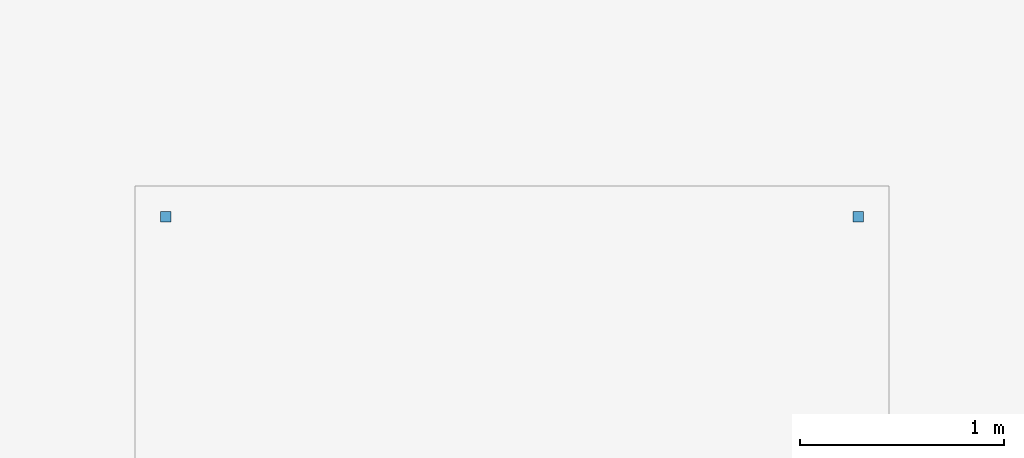
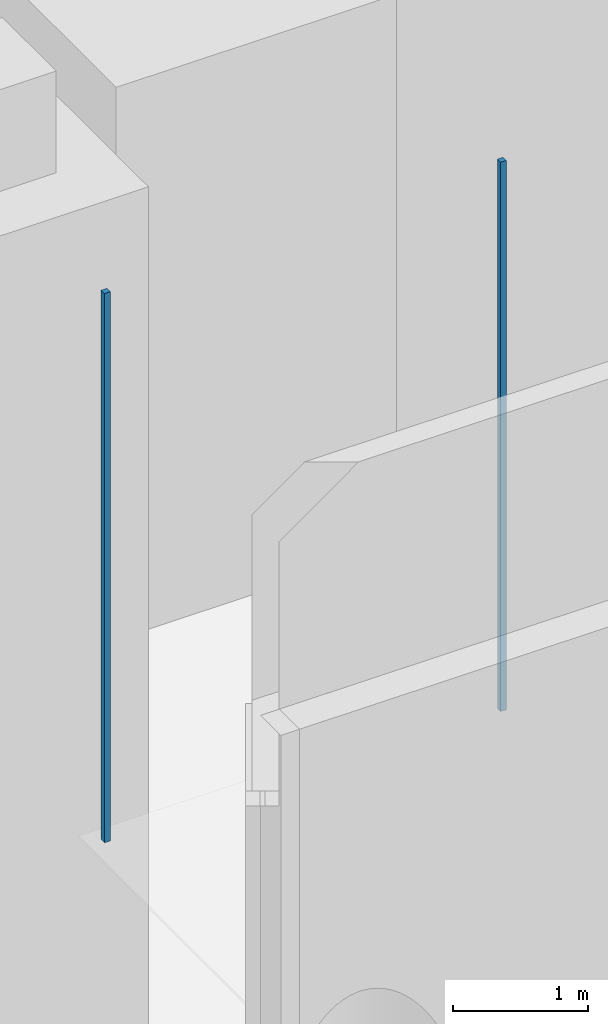
# One storey, part 14 of 26: 2 discrete accessories.
"""IFC4 building model written with IfcOpenShell, lengths in metres."""

from ifc_helpers import new_model, si_unit, direction, frame, origin, origin_2d, place, context, subcontext, project, spatial, rectangle, extrude, material, element, save


model = new_model("IFC4")

# Units and contexts
model_context = context("Model", 3, precision=1e-05, world=origin(), true_north=direction((0.0, 1.0)))
body_context = subcontext(model_context, "Body", "Model", "MODEL_VIEW")
ifc_project = project(units=[si_unit("LENGTHUNIT", "METRE"), si_unit("AREAUNIT", "SQUARE_METRE"), si_unit("VOLUMEUNIT", "CUBIC_METRE"), si_unit("PLANEANGLEUNIT", "RADIAN"), si_unit("MASSUNIT", "GRAM", prefix="KILO")], contexts=[model_context])

# Site, building, storey
site_placement = place(None, origin())
site = spatial("IfcSite", under=ifc_project, at=site_placement, CompositionType="ELEMENT")
building_placement = place(site_placement, origin())
building = spatial("IfcBuilding", under=site, at=building_placement, Name="Trine Commons Tower", CompositionType="ELEMENT")
storey_placement = place(building_placement, origin())
storey = spatial("IfcBuildingStorey", under=building, at=storey_placement, Name="L00", CompositionType="ELEMENT", Elevation=0.0)

# Discrete accessories
ifc_material = material(Name="Stainless steel rod", Category="steel")
for number, where, z_axis, x_axis, name in (
    (1, (59.74853515625, 80.134521484375, 3.6298828125), (0.0, 0.0, 1.0), (1.0, 0.0, 0.0), "Canopy hanger E4.1"),
    (2, (63.1396484375, 80.134521484375, 3.6298828125), (0.0, 0.0, 1.0), (1.0, 0.0, 0.0), "Canopy hanger E4.2"),
):
    element("IfcDiscreteAccessory", number, at=place(storey_placement, frame(where, z_axis=z_axis, x_axis=x_axis)), inside=storey, material=ifc_material, Name=name, PredefinedType="BRACKET", context=body_context, shape_type="SweptSolid", body=[
        extrude(rectangle(XDim=0.050048828125, YDim=0.050048828125, at=origin_2d()), origin(), (0.0, 0.0, 1.0), 4.969970703125),
    ])

save(model, "model.ifc")
